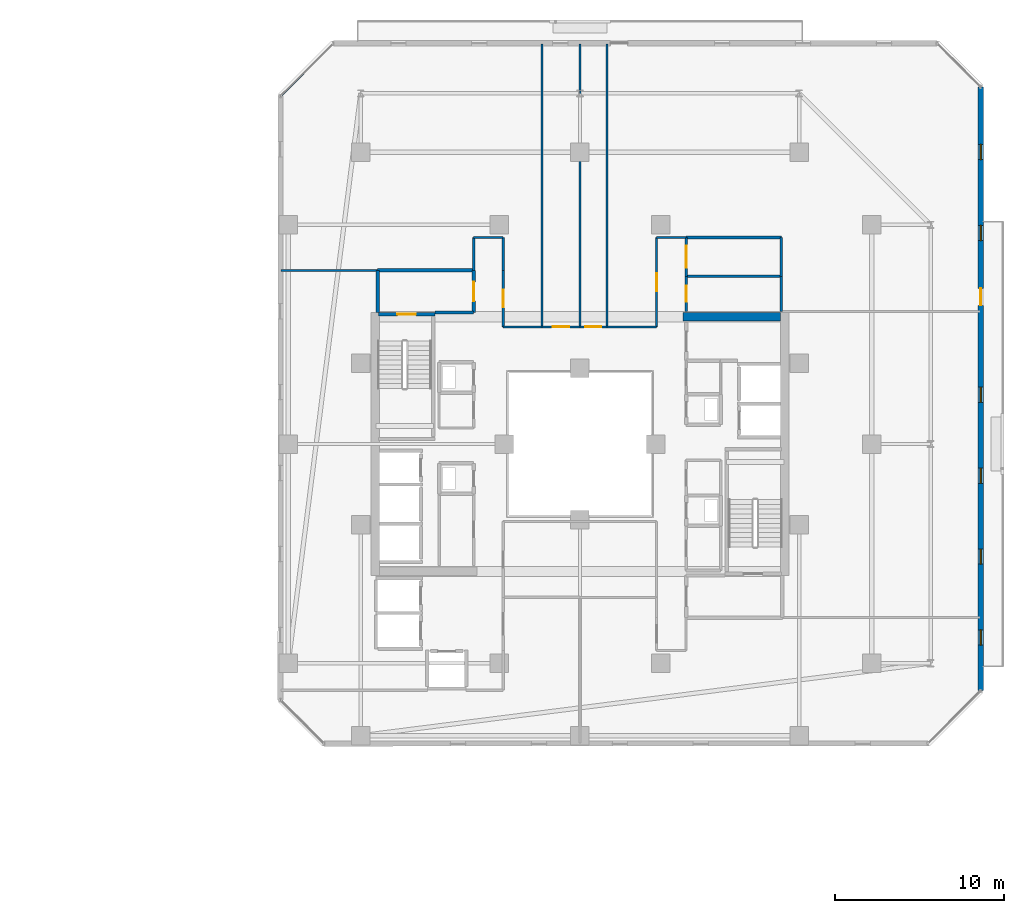
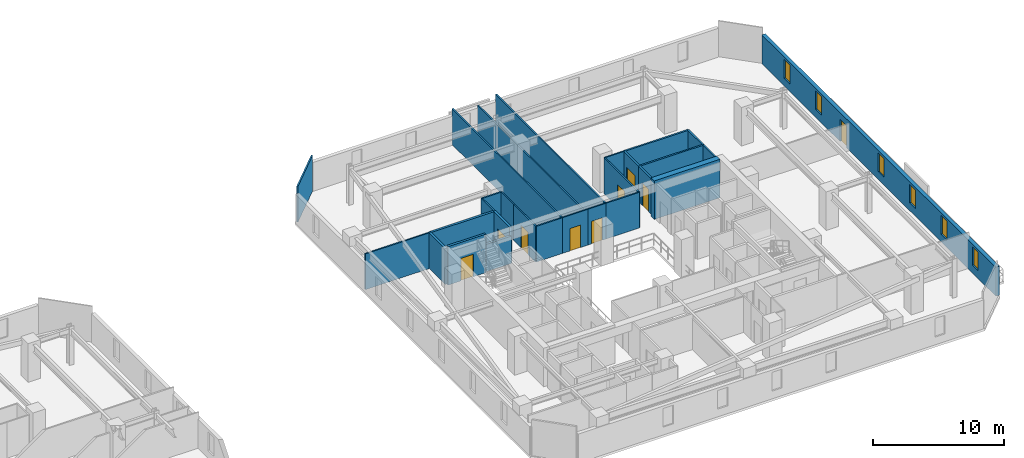
# One storey, part 25 of 33: 28 walls, 9 doors, 6 windows, 15 openings.
"""IFC4 building model written with IfcOpenShell, lengths in metres."""

from ifc_helpers import new_model, si_unit, direction, frame, frame_2d, origin, place, context, subcontext, project, spatial, rectangle, extrude, material, layer, layer_set, type_object, element, fill, save


model = new_model("IFC4")

# Units and contexts
model_context = context("Model", 3, precision=1e-05, world=origin(), true_north=direction((0.0, 1.0)))
body_context = subcontext(model_context, "Body", "Model", "MODEL_VIEW")
ifc_project = project(units=[si_unit("LENGTHUNIT", "METRE"), si_unit("AREAUNIT", "SQUARE_METRE"), si_unit("VOLUMEUNIT", "CUBIC_METRE"), si_unit("PLANEANGLEUNIT", "RADIAN"), si_unit("MASSUNIT", "GRAM", prefix="KILO")], contexts=[model_context])

# Site, building, storey
site_placement = place(None, origin())
site = spatial("IfcSite", under=ifc_project, at=site_placement, CompositionType="ELEMENT")
building_placement = place(site_placement, origin())
building = spatial("IfcBuilding", under=site, at=building_placement, Name="Thornwick Lancets Civic Towers", CompositionType="ELEMENT")
storey_placement = place(building_placement, frame((0.0, 0.0, 163.5)))
storey = spatial("IfcBuildingStorey", under=building, at=storey_placement, Name="L43", CompositionType="ELEMENT", Elevation=163.5)

# Wall
ifc_material_1 = material(Name="Concrete blockwork C40/50", Category="masonry")
ifc_layer_1 = layer(ifc_material_1, 0.199951171875, Name="Concrete blockwork C40/50")
ifc_layer_set_1 = layer_set([ifc_layer_1], Name="Concrete blockwork C40/50")
wall_type_1 = type_object("IfcWallType", Name="WALL_COMP_200", PredefinedType="STANDARD", material=ifc_layer_set_1)
wall_1_placement = place(storey_placement, frame((79.89990234375, 34.800048828125, 0.0), z_axis=(0.0, 0.0, 1.0), x_axis=(1.0, 0.0, 0.0)))
element("IfcWall", 1, at=wall_1_placement, inside=storey, type_object=wall_type_1, Name="L43 Partition L43-B-FFLOB2 E1", PredefinedType="STANDARD", context=body_context, shape_type="SweptSolid", body=[
    extrude(rectangle(XDim=2.300048828125, YDim=0.199951171875, at=frame_2d((1.14990234375, 0.0))), origin(), (0.0, 0.0, 1.0), 2.544921875),
])

# Wall, opening, door
wall_2_placement = place(storey_placement, frame((82.199951171875, 34.800048828125, 0.0), z_axis=(0.0, 0.0, 1.0), x_axis=(0.0, 1.0, 0.0)))
wall_2 = element("IfcWall", 2, at=wall_2_placement, inside=storey, type_object=wall_type_1, Name="L43 Partition L43-B-FFLOB2 E2", PredefinedType="STANDARD", context=body_context, shape_type="SweptSolid", body=[
    extrude(rectangle(XDim=2.5, YDim=0.199951171875, at=frame_2d((1.25, 0.0))), origin(), (0.0, 0.0, 1.0), 3.340087890625),
])
opening_1_placement = place(wall_2_placement, frame((0.675048828125, 0.0, 0.0)))
opening_1 = element("IfcOpeningElement", 3, at=opening_1_placement, cuts=wall_2, Name="Opening D-L43-1924", PredefinedType="OPENING", context=body_context, shape_type="SweptSolid", body=[
    extrude(rectangle(XDim=1.14990234375, YDim=2.10009765625, at=frame_2d((0.574951171875, 1.050048828125))), frame((0.0, 0.10986328125, 0.0), z_axis=(0.0, -1.0, 0.0), x_axis=(1.0, 0.0, 0.0)), (0.0, 0.0, 1.0), 0.219970703125),
])
ifc_material_2 = material(Name="Glazed fire-resisting steel", Category="steel")
door_type_1 = type_object("IfcDoorType", Name="DOOR_LOBBY_FD60", OperationType="NOTDEFINED", PredefinedType="DOOR", material=ifc_material_2)
door_1_placement = place(opening_1_placement, origin())
door_1 = element("IfcDoor", 4, at=door_1_placement, inside=storey, type_object=door_type_1, Name="L43 West Firefighting Lobby 2 Door", OperationType="SINGLE_SWING_LEFT", OverallHeight=2.10009765625, OverallWidth=1.14990234375, PredefinedType="DOOR", context=body_context, shape_type="SweptSolid", body=[
    extrude(rectangle(XDim=1.14990234375, YDim=2.10009765625, at=frame_2d((0.574951171875, 1.050048828125))), frame((0.0, 0.02490234375, 0.0), z_axis=(0.0, -1.0, 0.0), x_axis=(1.0, 0.0, 0.0)), (0.0, 0.0, 1.0), 0.050048828125),
])
fill(opening_1, door_1)

# Walls
wall_3_placement = place(storey_placement, frame((82.199951171875, 37.300048828125, 0.0), z_axis=(0.0, 0.0, 1.0), x_axis=(-1.0, 0.0, 0.0)))
element("IfcWall", 5, at=wall_3_placement, inside=storey, type_object=wall_type_1, Name="L43 Partition L43-B-FFLOB2 E3", PredefinedType="STANDARD", context=body_context, shape_type="SweptSolid", body=[
    extrude(rectangle(XDim=5.699951171875, YDim=0.199951171875, at=frame_2d((2.85009765625, 0.0))), origin(), (0.0, 0.0, 1.0), 3.340087890625),
])
wall_4_placement = place(storey_placement, frame((76.5, 37.300048828125, 0.0), z_axis=(0.0, 0.0, 1.0), x_axis=(0.0, -1.0, 0.0)))
element("IfcWall", 6, at=wall_4_placement, inside=storey, type_object=wall_type_1, Name="L43 Partition L43-B-FFLOB2 E4", PredefinedType="STANDARD", context=body_context, shape_type="SweptSolid", body=[
    extrude(rectangle(XDim=2.5, YDim=0.199951171875, at=frame_2d((1.25, 0.0))), origin(), (0.0, 0.0, 1.0), 3.340087890625),
])
ifc_material_3 = material(Name="Concrete C50/60", Category="concrete")
ifc_layer_2 = layer(ifc_material_3, 0.5, Name="Concrete C50/60")
ifc_layer_set_2 = layer_set([ifc_layer_2], Name="Concrete C50/60")
wall_type_2 = type_object("IfcWallType", Name="WALL_CORE_500", PredefinedType="SHEAR", material=ifc_layer_set_2)
wall_5_placement = place(storey_placement, frame((94.60009765625, 34.550048828125, 0.0), z_axis=(0.0, 0.0, 1.0), x_axis=(1.0, 0.0, 0.0)))
element("IfcWall", 7, at=wall_5_placement, inside=storey, type_object=wall_type_2, Name="L43 Split Core B1 Shear Wall N", PredefinedType="SHEAR", context=body_context, shape_type="SweptSolid", body=[
    extrude(rectangle(XDim=5.7998046875, YDim=0.5, at=frame_2d((2.89990234375, 0.0))), origin(), (0.0, 0.0, 1.0), 3.60009765625),
])

# Wall, openings, door, windows
ifc_material_4 = material(Name="Insulated buff terracotta rainscreen on concrete C40/50", Category="masonry")
ifc_layer_3 = layer(ifc_material_4, 0.320068359375, Name="Insulated buff terracotta rainscreen on concrete C40/50")
ifc_layer_set_3 = layer_set([ifc_layer_3], Name="Insulated buff terracotta rainscreen on concrete C40/50")
wall_type_3 = type_object("IfcWallType", Name="WALL_EXT_TERRA_320", PredefinedType="STANDARD", material=ifc_layer_set_3)
wall_6_placement = place(storey_placement, frame((112.2626953125, 12.37060546875, 0.0), z_axis=(0.0, 0.0, 1.0), x_axis=(5.4540124e-05, 0.999999998513, 0.0)))
wall_6 = element("IfcWall", 8, at=wall_6_placement, inside=storey, type_object=wall_type_3, Name="L43 Tower B Terracotta Facade Wall E2", PredefinedType="STANDARD", context=body_context, shape_type="SweptSolid", body=[
    extrude(rectangle(XDim=35.810791015625, YDim=0.320068359375, at=frame_2d((17.9052734375, 0.0))), origin(), (0.0, 0.0, 1.0), 2.699951171875),
])
opening_2_placement = place(wall_6_placement, frame((22.85546875, 0.0, 0.0)))
opening_2 = element("IfcOpeningElement", 9, at=opening_2_placement, cuts=wall_6, Name="Opening D-BL-L43-BE", PredefinedType="OPENING", context=body_context, shape_type="SweptSolid", body=[
    extrude(rectangle(XDim=1.0, YDim=2.080078125, at=frame_2d((0.5, 1.0400390625))), frame((0.0, 0.169921875, 0.0), z_axis=(0.0, -1.0, 0.0), x_axis=(1.0, 0.0, 0.0)), (0.0, 0.0, 1.0), 0.340087890625),
])
opening_3_placement = place(wall_6_placement, frame((2.699951171875, 0.0, 0.719970703125)))
opening_3 = element("IfcOpeningElement", 10, at=opening_3_placement, cuts=wall_6, Name="Opening WL-01", PredefinedType="OPENING", context=body_context, shape_type="SweptSolid", body=[
    extrude(rectangle(XDim=0.89990234375, YDim=1.75, at=frame_2d((0.449951171875, 0.875))), frame((0.0, 0.169921875, 0.0), z_axis=(0.0, -1.0, 0.0), x_axis=(1.0, 0.0, 0.0)), (0.0, 0.0, 1.0), 0.340087890625),
])
opening_4_placement = place(wall_6_placement, frame((7.5, 0.0, 0.719970703125)))
opening_4 = element("IfcOpeningElement", 11, at=opening_4_placement, cuts=wall_6, Name="Opening WL-01", PredefinedType="OPENING", context=body_context, shape_type="SweptSolid", body=[
    extrude(rectangle(XDim=0.89990234375, YDim=1.75, at=frame_2d((0.449951171875, 0.875))), frame((0.0, 0.169921875, 0.0), z_axis=(0.0, -1.0, 0.0), x_axis=(1.0, 0.0, 0.0)), (0.0, 0.0, 1.0), 0.340087890625),
])
opening_5_placement = place(wall_6_placement, frame((12.300048828125, 0.0, 0.719970703125)))
opening_5 = element("IfcOpeningElement", 12, at=opening_5_placement, cuts=wall_6, Name="Opening WL-01", PredefinedType="OPENING", context=body_context, shape_type="SweptSolid", body=[
    extrude(rectangle(XDim=0.89990234375, YDim=1.75, at=frame_2d((0.449951171875, 0.875))), frame((0.0, 0.169921875, 0.0), z_axis=(0.0, -1.0, 0.0), x_axis=(1.0, 0.0, 0.0)), (0.0, 0.0, 1.0), 0.340087890625),
])
opening_6_placement = place(wall_6_placement, frame((17.10009765625, 0.0, 0.719970703125)))
opening_6 = element("IfcOpeningElement", 13, at=opening_6_placement, cuts=wall_6, Name="Opening WL-01", PredefinedType="OPENING", context=body_context, shape_type="SweptSolid", body=[
    extrude(rectangle(XDim=0.89990234375, YDim=1.75, at=frame_2d((0.449951171875, 0.875))), frame((0.0, 0.169921875, 0.0), z_axis=(0.0, -1.0, 0.0), x_axis=(1.0, 0.0, 0.0)), (0.0, 0.0, 1.0), 0.340087890625),
])
opening_7_placement = place(wall_6_placement, frame((26.699951171875, 0.0, 0.719970703125)))
opening_7 = element("IfcOpeningElement", 14, at=opening_7_placement, cuts=wall_6, Name="Opening WL-01", PredefinedType="OPENING", context=body_context, shape_type="SweptSolid", body=[
    extrude(rectangle(XDim=0.89990234375, YDim=1.75, at=frame_2d((0.449951171875, 0.875))), frame((0.0, 0.169921875, 0.0), z_axis=(0.0, -1.0, 0.0), x_axis=(1.0, 0.0, 0.0)), (0.0, 0.0, 1.0), 0.340087890625),
])
opening_8_placement = place(wall_6_placement, frame((31.5, 0.0, 0.719970703125)))
opening_8 = element("IfcOpeningElement", 15, at=opening_8_placement, cuts=wall_6, Name="Opening WL-01", PredefinedType="OPENING", context=body_context, shape_type="SweptSolid", body=[
    extrude(rectangle(XDim=0.89990234375, YDim=1.75, at=frame_2d((0.449951171875, 0.875))), frame((0.0, 0.169921875, 0.0), z_axis=(0.0, -1.0, 0.0), x_axis=(1.0, 0.0, 0.0)), (0.0, 0.0, 1.0), 0.340087890625),
])
ifc_material_5 = material(Name="Thermally broken glazed loggia doorset")
door_type_2 = type_object("IfcDoorType", Name="DOOR_BALC_1000", OperationType="NOTDEFINED", PredefinedType="DOOR", material=ifc_material_5)
door_2_placement = place(opening_2_placement, origin())
door_2 = element("IfcDoor", 16, at=door_2_placement, inside=storey, type_object=door_type_2, Name="L43 Tower B Loggia Balcony Door E", OperationType="SINGLE_SWING_RIGHT", OverallHeight=2.080078125, OverallWidth=1.0, PredefinedType="DOOR", context=body_context, shape_type="SweptSolid", body=[
    extrude(rectangle(XDim=1.0, YDim=2.080078125, at=frame_2d((0.5, 1.0400390625))), frame((0.0, 0.02490234375, 0.0), z_axis=(0.0, -1.0, 0.0), x_axis=(1.0, 0.0, 0.0)), (0.0, 0.0, 1.0), 0.050048828125),
])
fill(opening_2, door_2)
ifc_material_6 = material(Name="Clear low-e double glazing in bronze frame", Category="glass")
window_type = type_object("IfcWindowType", Name="WIN_LANCET_900", PartitioningType="SINGLE_PANEL", PredefinedType="WINDOW", material=ifc_material_6)
window_1_placement = place(opening_3_placement, origin())
window_1 = element("IfcWindow", 17, at=window_1_placement, inside=storey, type_object=window_type, Name="L43 Tower B Staggered Lancet Window E2-1", OverallHeight=1.75, OverallWidth=0.89990234375, PartitioningType="SINGLE_PANEL", PredefinedType="WINDOW", context=body_context, shape_type="SweptSolid", body=[
    extrude(rectangle(XDim=0.89990234375, YDim=1.75, at=frame_2d((0.449951171875, 0.875))), frame((0.0, 0.030029296875, 0.0), z_axis=(0.0, -1.0, 0.0), x_axis=(1.0, 0.0, 0.0)), (0.0, 0.0, 1.0), 0.06005859375),
])
fill(opening_3, window_1)
window_2_placement = place(opening_4_placement, origin())
window_2 = element("IfcWindow", 18, at=window_2_placement, inside=storey, type_object=window_type, Name="L43 Tower B Staggered Lancet Window E2-2", OverallHeight=1.75, OverallWidth=0.89990234375, PartitioningType="SINGLE_PANEL", PredefinedType="WINDOW", context=body_context, shape_type="SweptSolid", body=[
    extrude(rectangle(XDim=0.89990234375, YDim=1.75, at=frame_2d((0.449951171875, 0.875))), frame((0.0, 0.030029296875, 0.0), z_axis=(0.0, -1.0, 0.0), x_axis=(1.0, 0.0, 0.0)), (0.0, 0.0, 1.0), 0.06005859375),
])
fill(opening_4, window_2)
window_3_placement = place(opening_5_placement, origin())
window_3 = element("IfcWindow", 19, at=window_3_placement, inside=storey, type_object=window_type, Name="L43 Tower B Staggered Lancet Window E2-3", OverallHeight=1.75, OverallWidth=0.89990234375, PartitioningType="SINGLE_PANEL", PredefinedType="WINDOW", context=body_context, shape_type="SweptSolid", body=[
    extrude(rectangle(XDim=0.89990234375, YDim=1.75, at=frame_2d((0.449951171875, 0.875))), frame((0.0, 0.030029296875, 0.0), z_axis=(0.0, -1.0, 0.0), x_axis=(1.0, 0.0, 0.0)), (0.0, 0.0, 1.0), 0.06005859375),
])
fill(opening_5, window_3)
window_4_placement = place(opening_6_placement, origin())
window_4 = element("IfcWindow", 20, at=window_4_placement, inside=storey, type_object=window_type, Name="L43 Tower B Staggered Lancet Window E2-4", OverallHeight=1.75, OverallWidth=0.89990234375, PartitioningType="SINGLE_PANEL", PredefinedType="WINDOW", context=body_context, shape_type="SweptSolid", body=[
    extrude(rectangle(XDim=0.89990234375, YDim=1.75, at=frame_2d((0.449951171875, 0.875))), frame((0.0, 0.030029296875, 0.0), z_axis=(0.0, -1.0, 0.0), x_axis=(1.0, 0.0, 0.0)), (0.0, 0.0, 1.0), 0.06005859375),
])
fill(opening_6, window_4)
window_5_placement = place(opening_7_placement, origin())
window_5 = element("IfcWindow", 21, at=window_5_placement, inside=storey, type_object=window_type, Name="L43 Tower B Staggered Lancet Window E2-5", OverallHeight=1.75, OverallWidth=0.89990234375, PartitioningType="SINGLE_PANEL", PredefinedType="WINDOW", context=body_context, shape_type="SweptSolid", body=[
    extrude(rectangle(XDim=0.89990234375, YDim=1.75, at=frame_2d((0.449951171875, 0.875))), frame((0.0, 0.030029296875, 0.0), z_axis=(0.0, -1.0, 0.0), x_axis=(1.0, 0.0, 0.0)), (0.0, 0.0, 1.0), 0.06005859375),
])
fill(opening_7, window_5)
window_6_placement = place(opening_8_placement, origin())
window_6 = element("IfcWindow", 22, at=window_6_placement, inside=storey, type_object=window_type, Name="L43 Tower B Staggered Lancet Window E2-6", OverallHeight=1.75, OverallWidth=0.89990234375, PartitioningType="SINGLE_PANEL", PredefinedType="WINDOW", context=body_context, shape_type="SweptSolid", body=[
    extrude(rectangle(XDim=0.89990234375, YDim=1.75, at=frame_2d((0.449951171875, 0.875))), frame((0.0, 0.030029296875, 0.0), z_axis=(0.0, -1.0, 0.0), x_axis=(1.0, 0.0, 0.0)), (0.0, 0.0, 1.0), 0.06005859375),
])
fill(opening_8, window_6)

# Wall
ifc_material_7 = material(Name="Acoustic gypsum board partition")
ifc_layer_4 = layer(ifc_material_7, 0.1201171875, Name="Acoustic gypsum board partition")
ifc_layer_set_4 = layer_set([ifc_layer_4], Name="Acoustic gypsum board partition")
wall_type_4 = type_object("IfcWallType", Name="WALL_PART_120", PredefinedType="PARTITIONING", material=ifc_layer_set_4)
wall_7_placement = place(storey_placement, frame((94.800048828125, 39.25, 0.0), z_axis=(0.0, 0.0, 1.0), x_axis=(-1.0, 0.0, 0.0)))
element("IfcWall", 23, at=wall_7_placement, inside=storey, type_object=wall_type_4, Name="L43 Partition L43-B-E1 E4", PredefinedType="PARTITIONING", context=body_context, shape_type="SweptSolid", body=[
    extrude(rectangle(XDim=1.75, YDim=0.1201171875, at=frame_2d((0.875, 0.0))), origin(), (0.0, 0.0, 1.0), 3.340087890625),
])

# Wall, opening, door
wall_8_placement = place(storey_placement, frame((93.050048828125, 39.25, 0.0), z_axis=(0.0, 0.0, 1.0), x_axis=(0.0, -1.0, 0.0)))
wall_8 = element("IfcWall", 24, at=wall_8_placement, inside=storey, type_object=wall_type_4, Name="L43 Partition L43-B-E1 E5", PredefinedType="PARTITIONING", context=body_context, shape_type="SweptSolid", body=[
    extrude(rectangle(XDim=5.300048828125, YDim=0.1201171875, at=frame_2d((2.64990234375, 0.0))), origin(), (0.0, 0.0, 1.0), 3.340087890625),
])
opening_9_placement = place(wall_8_placement, frame((2.125, 0.0, 0.0)))
opening_9 = element("IfcOpeningElement", 25, at=opening_9_placement, cuts=wall_8, Name="Opening D-L43-1949", PredefinedType="OPENING", context=body_context, shape_type="SweptSolid", body=[
    extrude(rectangle(XDim=1.050048828125, YDim=2.10009765625, at=frame_2d((0.52490234375, 1.050048828125))), frame((0.0, 0.070068359375, 0.0), z_axis=(0.0, -1.0, 0.0), x_axis=(1.0, 0.0, 0.0)), (0.0, 0.0, 1.0), 0.14013671875),
])
ifc_material_8 = material(Name="Glazed European oak executive doorset")
door_type_3 = type_object("IfcDoorType", Name="DOOR_OFFICE_1050", OperationType="NOTDEFINED", PredefinedType="DOOR", material=ifc_material_8)
door_3_placement = place(opening_9_placement, origin())
door_3 = element("IfcDoor", 26, at=door_3_placement, inside=storey, type_object=door_type_3, Name="L43 Tower B Secretariat Open Office E1 Door", OperationType="SINGLE_SWING_RIGHT", OverallHeight=2.10009765625, OverallWidth=1.050048828125, PredefinedType="DOOR", context=body_context, shape_type="SweptSolid", body=[
    extrude(rectangle(XDim=1.050048828125, YDim=2.10009765625, at=frame_2d((0.52490234375, 1.050048828125))), frame((0.0, 0.02490234375, 0.0), z_axis=(0.0, -1.0, 0.0), x_axis=(1.0, 0.0, 0.0)), (0.0, 0.0, 1.0), 0.050048828125),
])
fill(opening_9, door_3)

# Walls
wall_9_placement = place(storey_placement, frame((93.050048828125, 33.949951171875, 0.0), z_axis=(0.0, 0.0, 1.0), x_axis=(-1.0, 0.0, 0.0)))
element("IfcWall", 27, at=wall_9_placement, inside=storey, type_object=wall_type_4, Name="L43 Partition L43-B-E1 E6", PredefinedType="PARTITIONING", context=body_context, shape_type="SweptSolid", body=[
    extrude(rectangle(XDim=2.949951171875, YDim=0.1201171875, at=frame_2d((1.47509765625, 0.0))), origin(), (0.0, 0.0, 1.0), 3.340087890625),
])
wall_10_placement = place(storey_placement, frame((90.10009765625, 33.949951171875, 0.0), z_axis=(0.0, 0.0, 1.0), x_axis=(0.0, 1.0, 0.0)))
element("IfcWall", 28, at=wall_10_placement, inside=storey, type_object=wall_type_4, Name="L43 Partition L43-B-E1 E7", PredefinedType="PARTITIONING", context=body_context, shape_type="SweptSolid", body=[
    extrude(rectangle(XDim=16.77001953125, YDim=0.1201171875, at=frame_2d((8.385009765625, 0.0))), origin(), (0.0, 0.0, 1.0), 3.340087890625),
])
wall_11_placement = place(storey_placement, frame((88.5, 33.949951171875, 0.0), z_axis=(0.0, 0.0, 1.0), x_axis=(0.0, 1.0, 0.0)))
element("IfcWall", 29, at=wall_11_placement, inside=storey, type_object=wall_type_4, Name="L43 Partition L43-B-E2 E1", PredefinedType="PARTITIONING", context=body_context, shape_type="SweptSolid", body=[
    extrude(rectangle(XDim=16.77001953125, YDim=0.1201171875, at=frame_2d((8.385009765625, 0.0))), origin(), (0.0, 0.0, 1.0), 2.877685546875),
])

# Wall, opening, door
wall_12_placement = place(storey_placement, frame((90.10009765625, 33.949951171875, 0.0), z_axis=(0.0, 0.0, 1.0), x_axis=(-1.0, 0.0, 0.0)))
wall_12 = element("IfcWall", 30, at=wall_12_placement, inside=storey, type_object=wall_type_4, Name="L43 Partition L43-B-E2 E4", PredefinedType="PARTITIONING", context=body_context, shape_type="SweptSolid", body=[
    extrude(rectangle(XDim=1.60009765625, YDim=0.1201171875, at=frame_2d((0.800048828125, 0.0))), origin(), (0.0, 0.0, 1.0), 3.340087890625),
])
opening_10_placement = place(wall_12_placement, frame((0.324951171875, 0.0, 0.0)))
opening_10 = element("IfcOpeningElement", 31, at=opening_10_placement, cuts=wall_12, Name="Opening D-L43-1950", PredefinedType="OPENING", context=body_context, shape_type="SweptSolid", body=[
    extrude(rectangle(XDim=0.949951171875, YDim=2.10009765625, at=frame_2d((0.47509765625, 1.050048828125))), frame((0.0, 0.070068359375, 0.0), z_axis=(0.0, -1.0, 0.0), x_axis=(1.0, 0.0, 0.0)), (0.0, 0.0, 1.0), 0.14013671875),
])
ifc_material_9 = material(Name="European oak acoustic doorset")
door_type_4 = type_object("IfcDoorType", Name="DOOR_OFFICE_950", OperationType="NOTDEFINED", PredefinedType="DOOR", material=ifc_material_9)
door_4_placement = place(opening_10_placement, origin())
door_4 = element("IfcDoor", 32, at=door_4_placement, inside=storey, type_object=door_type_4, Name="L43 Tower B Visitors Reception and Waiting Door", OperationType="SINGLE_SWING_LEFT", OverallHeight=2.10009765625, OverallWidth=0.949951171875, PredefinedType="DOOR", context=body_context, shape_type="SweptSolid", body=[
    extrude(rectangle(XDim=0.949951171875, YDim=2.10009765625, at=frame_2d((0.47509765625, 1.050048828125))), frame((0.0, 0.02490234375, 0.0), z_axis=(0.0, -1.0, 0.0), x_axis=(1.0, 0.0, 0.0)), (0.0, 0.0, 1.0), 0.050048828125),
])
fill(opening_10, door_4)

# Wall
wall_13_placement = place(storey_placement, frame((86.25, 33.949951171875, 0.0), z_axis=(0.0, 0.0, 1.0), x_axis=(0.0, 1.0, 0.0)))
element("IfcWall", 33, at=wall_13_placement, inside=storey, type_object=wall_type_4, Name="L43 Partition L43-B-E3 E1", PredefinedType="PARTITIONING", context=body_context, shape_type="SweptSolid", body=[
    extrude(rectangle(XDim=16.77001953125, YDim=0.1201171875, at=frame_2d((8.385009765625, 0.0))), origin(), (0.0, 0.0, 1.0), 3.340087890625),
])

# Wall, opening, door
wall_14_placement = place(storey_placement, frame((88.5, 33.949951171875, 0.0), z_axis=(0.0, 0.0, 1.0), x_axis=(-1.0, 0.0, 0.0)))
wall_14 = element("IfcWall", 34, at=wall_14_placement, inside=storey, type_object=wall_type_4, Name="L43 Partition L43-B-E3 E4", PredefinedType="PARTITIONING", context=body_context, shape_type="SweptSolid", body=[
    extrude(rectangle(XDim=2.25, YDim=0.1201171875, at=frame_2d((1.125, 0.0))), origin(), (0.0, 0.0, 1.0), 3.340087890625),
])
opening_11_placement = place(wall_14_placement, frame((0.64990234375, 0.0, 0.0)))
opening_11 = element("IfcOpeningElement", 35, at=opening_11_placement, cuts=wall_14, Name="Opening D-L43-1951", PredefinedType="OPENING", context=body_context, shape_type="SweptSolid", body=[
    extrude(rectangle(XDim=0.949951171875, YDim=2.10009765625, at=frame_2d((0.47509765625, 1.050048828125))), frame((0.0, 0.070068359375, 0.0), z_axis=(0.0, -1.0, 0.0), x_axis=(1.0, 0.0, 0.0)), (0.0, 0.0, 1.0), 0.14013671875),
])
door_5_placement = place(opening_11_placement, origin())
door_5 = element("IfcDoor", 36, at=door_5_placement, inside=storey, type_object=door_type_4, Name="L43 Tower B Civic Seminar Room Door", OperationType="SINGLE_SWING_RIGHT", OverallHeight=2.10009765625, OverallWidth=0.949951171875, PredefinedType="DOOR", context=body_context, shape_type="SweptSolid", body=[
    extrude(rectangle(XDim=0.949951171875, YDim=2.10009765625, at=frame_2d((0.47509765625, 1.050048828125))), frame((0.0, 0.02490234375, 0.0), z_axis=(0.0, -1.0, 0.0), x_axis=(1.0, 0.0, 0.0)), (0.0, 0.0, 1.0), 0.050048828125),
])
fill(opening_11, door_5)

wall_15_placement = place(storey_placement, frame((83.949951171875, 33.949951171875, 0.0), z_axis=(0.0, 0.0, 1.0), x_axis=(0.0, 1.0, 0.0)))
wall_15 = element("IfcWall", 37, at=wall_15_placement, inside=storey, type_object=wall_type_4, Name="L43 Partition L43-B-E4 E1", PredefinedType="PARTITIONING", context=body_context, shape_type="SweptSolid", body=[
    extrude(rectangle(XDim=3.35009765625, YDim=0.1201171875, at=frame_2d((1.675048828125, 0.0))), origin(), (0.0, 0.0, 1.0), 3.340087890625),
])
opening_12_placement = place(wall_15_placement, frame((1.14990234375, 0.0, 0.0)))
opening_12 = element("IfcOpeningElement", 38, at=opening_12_placement, cuts=wall_15, Name="Opening D-L43-1952", PredefinedType="OPENING", context=body_context, shape_type="SweptSolid", body=[
    extrude(rectangle(XDim=1.050048828125, YDim=2.10009765625, at=frame_2d((0.52490234375, 1.050048828125))), frame((0.0, 0.070068359375, 0.0), z_axis=(0.0, -1.0, 0.0), x_axis=(1.0, 0.0, 0.0)), (0.0, 0.0, 1.0), 0.14013671875),
])
door_6_placement = place(opening_12_placement, origin())
door_6 = element("IfcDoor", 39, at=door_6_placement, inside=storey, type_object=door_type_3, Name="L43 Tower B Counsel Chambers Office E4 Door", OperationType="SINGLE_SWING_LEFT", OverallHeight=2.10009765625, OverallWidth=1.050048828125, PredefinedType="DOOR", context=body_context, shape_type="SweptSolid", body=[
    extrude(rectangle(XDim=1.050048828125, YDim=2.10009765625, at=frame_2d((0.52490234375, 1.050048828125))), frame((0.0, 0.02490234375, 0.0), z_axis=(0.0, -1.0, 0.0), x_axis=(1.0, 0.0, 0.0)), (0.0, 0.0, 1.0), 0.050048828125),
])
fill(opening_12, door_6)

# Walls
wall_16_placement = place(storey_placement, frame((83.949951171875, 37.300048828125, 0.0), z_axis=(0.0, 0.0, 1.0), x_axis=(0.0, 1.0, 0.0)))
element("IfcWall", 40, at=wall_16_placement, inside=storey, type_object=wall_type_4, Name="L43 Partition L43-B-E4 E2", PredefinedType="PARTITIONING", context=body_context, shape_type="SweptSolid", body=[
    extrude(rectangle(XDim=1.949951171875, YDim=0.1201171875, at=frame_2d((0.97509765625, 0.0))), origin(), (0.0, 0.0, 1.0), 3.340087890625),
])
wall_17_placement = place(storey_placement, frame((83.949951171875, 39.25, 0.0), z_axis=(0.0, 0.0, 1.0), x_axis=(-1.0, 0.0, 0.0)))
element("IfcWall", 41, at=wall_17_placement, inside=storey, type_object=wall_type_4, Name="L43 Partition L43-B-E4 E3", PredefinedType="PARTITIONING", context=body_context, shape_type="SweptSolid", body=[
    extrude(rectangle(XDim=1.75, YDim=0.1201171875, at=frame_2d((0.875, 0.0))), origin(), (0.0, 0.0, 1.0), 3.340087890625),
])
wall_18_placement = place(storey_placement, frame((82.199951171875, 39.25, 0.0), z_axis=(0.0, 0.0, 1.0), x_axis=(0.0, -1.0, 0.0)))
element("IfcWall", 42, at=wall_18_placement, inside=storey, type_object=wall_type_4, Name="L43 Partition L43-B-E4 E4", PredefinedType="PARTITIONING", context=body_context, shape_type="SweptSolid", body=[
    extrude(rectangle(XDim=1.949951171875, YDim=0.1201171875, at=frame_2d((0.97509765625, 0.0))), origin(), (0.0, 0.0, 1.0), 3.340087890625),
])
wall_19_placement = place(storey_placement, frame((76.5, 37.300048828125, 0.0), z_axis=(0.0, 0.0, 1.0), x_axis=(-1.0, 0.0, 0.0)))
element("IfcWall", 43, at=wall_19_placement, inside=storey, type_object=wall_type_4, Name="L43 Partition L43-B-E4 E6", PredefinedType="PARTITIONING", context=body_context, shape_type="SweptSolid", body=[
    extrude(rectangle(XDim=5.719970703125, YDim=0.1201171875, at=frame_2d((2.85986328125, 0.0))), origin(), (0.0, 0.0, 1.0), 3.340087890625),
])
wall_20_placement = place(storey_placement, frame((70.780029296875, 47.67138671875, 0.0), z_axis=(0.0, 0.0, 1.0), x_axis=(0.707106781187, 0.707106781187, 0.0)))
element("IfcWall", 44, at=wall_20_placement, inside=storey, type_object=wall_type_4, Name="L43 Partition L43-B-E4 E8", PredefinedType="PARTITIONING", context=body_context, shape_type="SweptSolid", body=[
    extrude(rectangle(XDim=4.311279296875, YDim=0.1201171875, at=frame_2d((2.15576171875, 0.0))), origin(), (0.0, 0.0, 1.0), 3.340087890625),
])
wall_21_placement = place(storey_placement, frame((86.25, 33.949951171875, 0.0), z_axis=(0.0, 0.0, 1.0), x_axis=(-1.0, 0.0, 0.0)))
element("IfcWall", 45, at=wall_21_placement, inside=storey, type_object=wall_type_4, Name="L43 Partition L43-B-E4 E11", PredefinedType="PARTITIONING", context=body_context, shape_type="SweptSolid", body=[
    extrude(rectangle(XDim=2.300048828125, YDim=0.1201171875, at=frame_2d((1.14990234375, 0.0))), origin(), (0.0, 0.0, 1.0), 3.340087890625),
])
ifc_material_10 = material(Name="Twin-stud acoustic gypsum board")
ifc_layer_5 = layer(ifc_material_10, 0.14990234375, Name="Twin-stud acoustic gypsum board")
ifc_layer_set_5 = layer_set([ifc_layer_5], Name="Twin-stud acoustic gypsum board")
wall_type_5 = type_object("IfcWallType", Name="WALL_PART_150", PredefinedType="PARTITIONING", material=ifc_layer_set_5)
wall_22_placement = place(storey_placement, frame((100.449951171875, 36.949951171875, 0.0), z_axis=(0.0, 0.0, 1.0), x_axis=(0.0, -1.0, 0.0)))
element("IfcWall", 46, at=wall_22_placement, inside=storey, type_object=wall_type_5, Name="L43 Partition L43-B-RECLAIM-L1 E1", PredefinedType="PARTITIONING", context=body_context, shape_type="SweptSolid", body=[
    extrude(rectangle(XDim=2.099853515625, YDim=0.14990234375, at=frame_2d((1.0498046875, 0.0))), origin(), (0.0, 0.0, 1.0), 3.340087890625),
])

# Wall, opening, door
wall_23_placement = place(storey_placement, frame((94.800048828125, 34.85009765625, 0.0), z_axis=(0.0, 0.0, 1.0), x_axis=(0.0, 1.0, 0.0)))
wall_23 = element("IfcWall", 47, at=wall_23_placement, inside=storey, type_object=wall_type_5, Name="L43 Partition L43-B-RECLAIM-L1 E3", PredefinedType="PARTITIONING", context=body_context, shape_type="SweptSolid", body=[
    extrude(rectangle(XDim=2.099853515625, YDim=0.14990234375, at=frame_2d((1.0498046875, 0.0))), origin(), (0.0, 0.0, 1.0), 3.340087890625),
])
opening_13_placement = place(wall_23_placement, frame((0.574951171875, 0.0, 0.0)))
opening_13 = element("IfcOpeningElement", 48, at=opening_13_placement, cuts=wall_23, Name="Opening D-L43-1944", PredefinedType="OPENING", context=body_context, shape_type="SweptSolid", body=[
    extrude(rectangle(XDim=0.949951171875, YDim=2.10009765625, at=frame_2d((0.47509765625, 1.050048828125))), frame((0.0, 0.0849609375, 0.0), z_axis=(0.0, -1.0, 0.0), x_axis=(1.0, 0.0, 0.0)), (0.0, 0.0, 1.0), 0.169921875),
])
door_7_placement = place(opening_13_placement, origin())
door_7 = element("IfcDoor", 49, at=door_7_placement, inside=storey, type_object=door_type_4, Name="L43 Tower B Policy Archive Door", OperationType="SINGLE_SWING_LEFT", OverallHeight=2.10009765625, OverallWidth=0.949951171875, PredefinedType="DOOR", context=body_context, shape_type="SweptSolid", body=[
    extrude(rectangle(XDim=0.949951171875, YDim=2.10009765625, at=frame_2d((0.47509765625, 1.050048828125))), frame((0.0, 0.02490234375, 0.0), z_axis=(0.0, -1.0, 0.0), x_axis=(1.0, 0.0, 0.0)), (0.0, 0.0, 1.0), 0.050048828125),
])
fill(opening_13, door_7)

# Wall
wall_24_placement = place(storey_placement, frame((94.800048828125, 36.949951171875, 0.0), z_axis=(0.0, 0.0, 1.0), x_axis=(1.0, 0.0, 0.0)))
element("IfcWall", 50, at=wall_24_placement, inside=storey, type_object=wall_type_5, Name="L43 Partition L43-B-RECLAIM-L1 E4", PredefinedType="PARTITIONING", context=body_context, shape_type="SweptSolid", body=[
    extrude(rectangle(XDim=5.64990234375, YDim=0.14990234375, at=frame_2d((2.824951171875, 0.0))), origin(), (0.0, 0.0, 1.0), 3.340087890625),
])

# Wall, opening, door
wall_25_placement = place(storey_placement, frame((94.800048828125, 36.949951171875, 0.0), z_axis=(0.0, 0.0, 1.0), x_axis=(0.0, 1.0, 0.0)))
wall_25 = element("IfcWall", 51, at=wall_25_placement, inside=storey, type_object=wall_type_5, Name="L43 Partition L43-B-RECLAIM-L2 E1", PredefinedType="PARTITIONING", context=body_context, shape_type="SweptSolid", body=[
    extrude(rectangle(XDim=2.300048828125, YDim=0.14990234375, at=frame_2d((1.14990234375, 0.0))), origin(), (0.0, 0.0, 1.0), 3.340087890625),
])
opening_14_placement = place(wall_25_placement, frame((0.5, 0.0, 0.0)))
opening_14 = element("IfcOpeningElement", 52, at=opening_14_placement, cuts=wall_25, Name="Opening D-L43-1945", PredefinedType="OPENING", context=body_context, shape_type="SweptSolid", body=[
    extrude(rectangle(XDim=1.300048828125, YDim=2.1201171875, at=frame_2d((0.64990234375, 1.06005859375))), frame((0.0, 0.0849609375, 0.0), z_axis=(0.0, -1.0, 0.0), x_axis=(1.0, 0.0, 0.0)), (0.0, 0.0, 1.0), 0.169921875),
])
ifc_material_11 = material(Name="Acoustic oak leaf-and-a-half doorset")
door_type_5 = type_object("IfcDoorType", Name="DOOR_MEET_1300", OperationType="DOUBLE_DOOR_SINGLE_SWING", PredefinedType="DOOR", material=ifc_material_11)
door_8_placement = place(opening_14_placement, origin())
door_8 = element("IfcDoor", 53, at=door_8_placement, inside=storey, type_object=door_type_5, Name="L43 Tower B Ministerial Consultation Room Door", OperationType="DOUBLE_DOOR_SINGLE_SWING", OverallHeight=2.1201171875, OverallWidth=1.300048828125, PredefinedType="DOOR", context=body_context, shape_type="SweptSolid", body=[
    extrude(rectangle(XDim=1.300048828125, YDim=2.1201171875, at=frame_2d((0.64990234375, 1.06005859375))), frame((0.0, 0.02490234375, 0.0), z_axis=(0.0, -1.0, 0.0), x_axis=(1.0, 0.0, 0.0)), (0.0, 0.0, 1.0), 0.050048828125),
])
fill(opening_14, door_8)

# Walls
wall_26_placement = place(storey_placement, frame((94.800048828125, 39.25, 0.0), z_axis=(0.0, 0.0, 1.0), x_axis=(1.0, 0.0, 0.0)))
element("IfcWall", 54, at=wall_26_placement, inside=storey, type_object=wall_type_5, Name="L43 Partition L43-B-RECLAIM-L2 E2", PredefinedType="PARTITIONING", context=body_context, shape_type="SweptSolid", body=[
    extrude(rectangle(XDim=5.64990234375, YDim=0.14990234375, at=frame_2d((2.824951171875, 0.0))), origin(), (0.0, 0.0, 1.0), 3.340087890625),
])
wall_27_placement = place(storey_placement, frame((100.449951171875, 39.25, 0.0), z_axis=(0.0, 0.0, 1.0), x_axis=(0.0, -1.0, 0.0)))
element("IfcWall", 55, at=wall_27_placement, inside=storey, type_object=wall_type_5, Name="L43 Partition L43-B-RECLAIM-L2 E3", PredefinedType="PARTITIONING", context=body_context, shape_type="SweptSolid", body=[
    extrude(rectangle(XDim=2.300048828125, YDim=0.14990234375, at=frame_2d((1.14990234375, 0.0))), origin(), (0.0, 0.0, 1.0), 3.340087890625),
])

# Wall, opening, door
ifc_material_12 = material(Name="Concrete C40/50", Category="concrete")
ifc_layer_6 = layer(ifc_material_12, 0.199951171875, Name="Concrete C40/50")
ifc_layer_set_6 = layer_set([ifc_layer_6], Name="Concrete C40/50")
wall_type_6 = type_object("IfcWallType", Name="WALL_SHAFT_200", PredefinedType="SHEAR", material=ifc_layer_set_6)
wall_28_placement = place(storey_placement, frame((76.550048828125, 34.699951171875, 0.0), z_axis=(0.0, 0.0, 1.0), x_axis=(1.0, 0.0, 0.0)))
wall_28 = element("IfcWall", 56, at=wall_28_placement, inside=storey, type_object=wall_type_6, Name="L43 ST-B2 Fire Stair Core Wall NEAR", PredefinedType="SHEAR", context=body_context, shape_type="SweptSolid", body=[
    extrude(rectangle(XDim=3.349853515625, YDim=0.199951171875, at=frame_2d((1.6748046875, 0.0))), origin(), (0.0, 0.0, 1.0), 3.60009765625),
])
opening_15_placement = place(wall_28_placement, frame((1.125, 0.0, 0.0)))
opening_15 = element("IfcOpeningElement", 57, at=opening_15_placement, cuts=wall_28, Name="Opening D-ST-B2-L43", PredefinedType="OPENING", context=body_context, shape_type="SweptSolid", body=[
    extrude(rectangle(XDim=1.10009765625, YDim=2.10009765625, at=frame_2d((0.550048828125, 1.050048828125))), frame((0.0, 0.10986328125, 0.0), z_axis=(0.0, -1.0, 0.0), x_axis=(1.0, 0.0, 0.0)), (0.0, 0.0, 1.0), 0.219970703125),
])
ifc_material_13 = material(Name="Fire-resisting steel and hardwood", Category="steel")
door_type_6 = type_object("IfcDoorType", Name="DOOR_STAIR_FD60", OperationType="NOTDEFINED", PredefinedType="DOOR", material=ifc_material_13)
door_9_placement = place(opening_15_placement, origin())
door_9 = element("IfcDoor", 58, at=door_9_placement, inside=storey, type_object=door_type_6, Name="L43 ST-B2 Exit Stair Door", OperationType="SINGLE_SWING_LEFT", OverallHeight=2.10009765625, OverallWidth=1.10009765625, PredefinedType="DOOR", context=body_context, shape_type="SweptSolid", body=[
    extrude(rectangle(XDim=1.10009765625, YDim=2.10009765625, at=frame_2d((0.550048828125, 1.050048828125))), frame((0.0, 0.02490234375, 0.0), z_axis=(0.0, -1.0, 0.0), x_axis=(1.0, 0.0, 0.0)), (0.0, 0.0, 1.0), 0.050048828125),
])
fill(opening_15, door_9)

save(model, "model.ifc")
